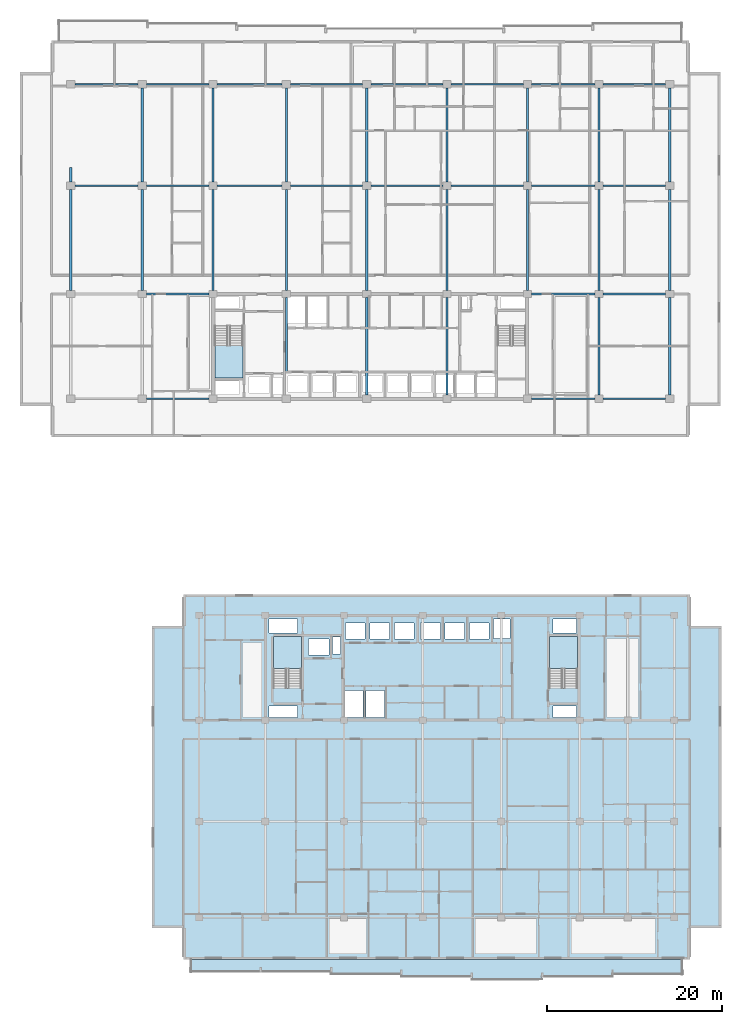
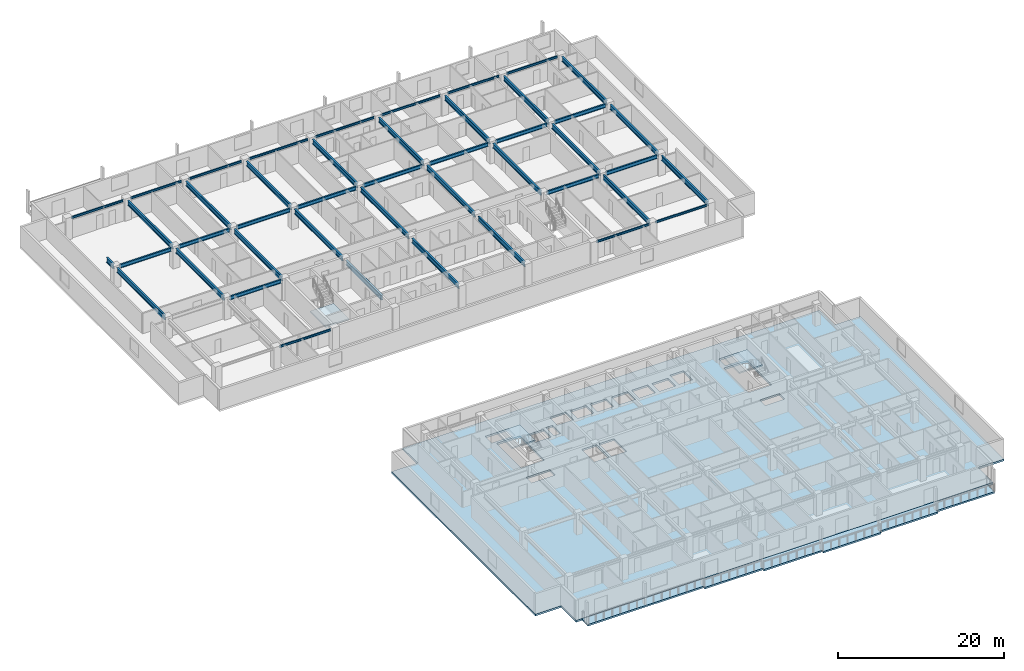
# One storey, part 2 of 22: 45 beams, 5 slabs, 3 elements without a shape of their own.
"""IFC4 building model written with IfcOpenShell, lengths in metres."""

from ifc_helpers import new_model, si_unit, direction, frame, origin, origin_2d, place, context, subcontext, project, spatial, polyline, i_section, outline, extrude, material, layer, layer_set, material_profile, profile_set, type_object, element, aggregate, save


model = new_model("IFC4")

# Units and contexts
model_context = context("Model", 3, precision=1e-05, world=origin(), true_north=direction((0.0, 1.0)))
body_context = subcontext(model_context, "Body", "Model", "MODEL_VIEW")
ifc_project = project(units=[si_unit("LENGTHUNIT", "METRE"), si_unit("AREAUNIT", "SQUARE_METRE"), si_unit("VOLUMEUNIT", "CUBIC_METRE"), si_unit("PLANEANGLEUNIT", "RADIAN"), si_unit("MASSUNIT", "GRAM", prefix="KILO")], contexts=[model_context])

# Site, building, storey
site_placement = place(None, origin())
site = spatial("IfcSite", under=ifc_project, at=site_placement, CompositionType="ELEMENT")
building_placement = place(site_placement, origin())
building = spatial("IfcBuilding", under=site, at=building_placement, Name="Korimba Cascade Residences", CompositionType="ELEMENT")
storey_placement = place(building_placement, frame((0.0, 0.0, 90.550048828125)))
storey = spatial("IfcBuildingStorey", under=building, at=storey_placement, Name="L25", CompositionType="ELEMENT", Elevation=90.550048828125)

# Beams
ifc_material_1 = material(Name="Steel S355", Category="steel")
ifc_material_profile_1 = material_profile(ifc_material_1, i_section(OverallWidth=0.165771484375, OverallDepth=0.306640625, WebThickness=0.006591796875, FlangeThickness=0.01171875, FilletRadius=0.0087890625, at=origin_2d()), Name="Steel S355")
ifc_profile_set_1 = profile_set([ifc_material_profile_1], Name="Steel S355")
beam_type_1 = type_object("IfcBeamType", Name="BM-STL-UB305", PredefinedType="SPANDREL", material=ifc_profile_set_1)
beam_1_placement = place(storey_placement, frame((68.47509765625, 55.199951171875, 2.816650390625), z_axis=(1.0, 0.0, 0.0), x_axis=(0.0, 1.0, 0.0)))
element("IfcBeam", 1, at=beam_1_placement, inside=storey, type_object=beam_type_1, Name="L25 T1 E-W Girder Y1 Bay 2", PredefinedType="SPANDREL", context=body_context, shape_type="SweptSolid", body=[
    extrude(i_section(OverallWidth=0.165771484375, OverallDepth=0.306640625, WebThickness=0.006591796875, FlangeThickness=0.01171875, FilletRadius=0.0087890625, at=origin_2d()), origin(), (0.0, 0.0, 1.0), 7.14990234375),
])
beam_2_placement = place(storey_placement, frame((112.574951171875, 55.199951171875, 2.816650390625), z_axis=(1.0, 0.0, 0.0), x_axis=(0.0, 1.0, 0.0)))
element("IfcBeam", 2, at=beam_2_placement, inside=storey, type_object=beam_type_1, Name="L25 T1 E-W Girder Y1 Bay 7", PredefinedType="SPANDREL", context=body_context, shape_type="SweptSolid", body=[
    extrude(i_section(OverallWidth=0.165771484375, OverallDepth=0.306640625, WebThickness=0.006591796875, FlangeThickness=0.01171875, FilletRadius=0.0087890625, at=origin_2d()), origin(), (0.0, 0.0, 1.0), 7.25),
])
beam_3_placement = place(storey_placement, frame((120.77490234375, 55.199951171875, 2.816650390625), z_axis=(1.0, 0.0, 0.0), x_axis=(0.0, 1.0, 0.0)))
element("IfcBeam", 3, at=beam_3_placement, inside=storey, type_object=beam_type_1, Name="L25 T1 E-W Girder Y1 Bay 8", PredefinedType="SPANDREL", context=body_context, shape_type="SweptSolid", body=[
    extrude(i_section(OverallWidth=0.165771484375, OverallDepth=0.306640625, WebThickness=0.006591796875, FlangeThickness=0.01171875, FilletRadius=0.0087890625, at=origin_2d()), origin(), (0.0, 0.0, 1.0), 7.150146484375),
])
beam_4_placement = place(storey_placement, frame((60.27490234375, 91.199951171875, 2.816650390625), z_axis=(1.0, 0.0, 0.0), x_axis=(0.0, 1.0, 0.0)))
element("IfcBeam", 4, at=beam_4_placement, inside=storey, type_object=beam_type_1, Name="L25 T1 E-W Girder Y4 Bay 1", PredefinedType="SPANDREL", context=body_context, shape_type="SweptSolid", body=[
    extrude(i_section(OverallWidth=0.165771484375, OverallDepth=0.306640625, WebThickness=0.006591796875, FlangeThickness=0.01171875, FilletRadius=0.0087890625, at=origin_2d()), origin(), (0.0, 0.0, 1.0), 7.25),
])
beam_5_placement = place(storey_placement, frame((68.47509765625, 91.199951171875, 2.816650390625), z_axis=(1.0, 0.0, 0.0), x_axis=(0.0, 1.0, 0.0)))
element("IfcBeam", 5, at=beam_5_placement, inside=storey, type_object=beam_type_1, Name="L25 T1 E-W Girder Y4 Bay 2", PredefinedType="SPANDREL", context=body_context, shape_type="SweptSolid", body=[
    extrude(i_section(OverallWidth=0.165771484375, OverallDepth=0.306640625, WebThickness=0.006591796875, FlangeThickness=0.01171875, FilletRadius=0.0087890625, at=origin_2d()), origin(), (0.0, 0.0, 1.0), 7.14990234375),
])
beam_6_placement = place(storey_placement, frame((76.574951171875, 91.199951171875, 2.816650390625), z_axis=(1.0, 0.0, 0.0), x_axis=(0.0, 1.0, 0.0)))
element("IfcBeam", 6, at=beam_6_placement, inside=storey, type_object=beam_type_1, Name="L25 T1 E-W Girder Y4 Bay 3", PredefinedType="SPANDREL", context=body_context, shape_type="SweptSolid", body=[
    extrude(i_section(OverallWidth=0.165771484375, OverallDepth=0.306640625, WebThickness=0.006591796875, FlangeThickness=0.01171875, FilletRadius=0.0087890625, at=origin_2d()), origin(), (0.0, 0.0, 1.0), 7.449951171875),
])
for number, where, z_axis, x_axis, name in (
    (7, (84.97509765625, 91.199951171875, 2.816650390625), (1.0, 0.0, 0.0), (0.0, 1.0, 0.0), "L25 T1 E-W Girder Y4 Bay 4"),
    (8, (94.175048828125, 91.199951171875, 2.816650390625), (1.0, 0.0, 0.0), (0.0, 1.0, 0.0), "L25 T1 E-W Girder Y4 Bay 5"),
    (9, (103.375, 91.199951171875, 2.816650390625), (1.0, 0.0, 0.0), (0.0, 1.0, 0.0), "L25 T1 E-W Girder Y4 Bay 6"),
):
    element("IfcBeam", number, at=place(storey_placement, frame(where, z_axis=z_axis, x_axis=x_axis)), inside=storey, type_object=beam_type_1, Name=name, PredefinedType="SPANDREL", context=body_context, shape_type="SweptSolid", body=[
        extrude(i_section(OverallWidth=0.165771484375, OverallDepth=0.306640625, WebThickness=0.006591796875, FlangeThickness=0.01171875, FilletRadius=0.0087890625, at=origin_2d()), origin(), (0.0, 0.0, 1.0), 8.25),
    ])
beam_7_placement = place(storey_placement, frame((112.574951171875, 91.199951171875, 2.816650390625), z_axis=(1.0, 0.0, 0.0), x_axis=(0.0, 1.0, 0.0)))
element("IfcBeam", 10, at=beam_7_placement, inside=storey, type_object=beam_type_1, Name="L25 T1 E-W Girder Y4 Bay 7", PredefinedType="SPANDREL", context=body_context, shape_type="SweptSolid", body=[
    extrude(i_section(OverallWidth=0.165771484375, OverallDepth=0.306640625, WebThickness=0.006591796875, FlangeThickness=0.01171875, FilletRadius=0.0087890625, at=origin_2d()), origin(), (0.0, 0.0, 1.0), 7.25),
])
beam_8_placement = place(storey_placement, frame((120.77490234375, 91.199951171875, 2.816650390625), z_axis=(1.0, 0.0, 0.0), x_axis=(0.0, 1.0, 0.0)))
element("IfcBeam", 11, at=beam_8_placement, inside=storey, type_object=beam_type_1, Name="L25 T1 E-W Girder Y4 Bay 8", PredefinedType="SPANDREL", context=body_context, shape_type="SweptSolid", body=[
    extrude(i_section(OverallWidth=0.165771484375, OverallDepth=0.306640625, WebThickness=0.006591796875, FlangeThickness=0.01171875, FilletRadius=0.0087890625, at=origin_2d()), origin(), (0.0, 0.0, 1.0), 7.150146484375),
])
ifc_material_profile_2 = material_profile(ifc_material_1, i_section(OverallWidth=0.2099609375, OverallDepth=0.53662109375, WebThickness=0.0107421875, FlangeThickness=0.017333984375, FilletRadius=0.0126953125, at=origin_2d()), Name="Steel S355")
ifc_profile_set_2 = profile_set([ifc_material_profile_2], Name="Steel S355")
beam_type_2 = type_object("IfcBeamType", Name="BM-STL-UB533", PredefinedType="BEAM", material=ifc_profile_set_2)
beam_9_placement = place(storey_placement, frame((68.47509765625, 67.199951171875, 2.70166015625), z_axis=(1.0, 0.0, 0.0), x_axis=(0.0, 1.0, 0.0)))
element("IfcBeam", 12, at=beam_9_placement, inside=storey, type_object=beam_type_2, Name="L25 T1 E-W Girder Y2 Bay 2", PredefinedType="BEAM", context=body_context, shape_type="SweptSolid", body=[
    extrude(i_section(OverallWidth=0.2099609375, OverallDepth=0.53662109375, WebThickness=0.0107421875, FlangeThickness=0.017333984375, FilletRadius=0.0126953125, at=origin_2d()), origin(), (0.0, 0.0, 1.0), 7.14990234375),
])
beam_10_placement = place(storey_placement, frame((112.574951171875, 67.199951171875, 2.70166015625), z_axis=(1.0, 0.0, 0.0), x_axis=(0.0, 1.0, 0.0)))
element("IfcBeam", 13, at=beam_10_placement, inside=storey, type_object=beam_type_2, Name="L25 T1 E-W Girder Y2 Bay 7", PredefinedType="BEAM", context=body_context, shape_type="SweptSolid", body=[
    extrude(i_section(OverallWidth=0.2099609375, OverallDepth=0.53662109375, WebThickness=0.0107421875, FlangeThickness=0.017333984375, FilletRadius=0.0126953125, at=origin_2d()), origin(), (0.0, 0.0, 1.0), 7.25),
])
beam_11_placement = place(storey_placement, frame((120.77490234375, 67.199951171875, 2.70166015625), z_axis=(1.0, 0.0, 0.0), x_axis=(0.0, 1.0, 0.0)))
element("IfcBeam", 14, at=beam_11_placement, inside=storey, type_object=beam_type_2, Name="L25 T1 E-W Girder Y2 Bay 8", PredefinedType="BEAM", context=body_context, shape_type="SweptSolid", body=[
    extrude(i_section(OverallWidth=0.2099609375, OverallDepth=0.53662109375, WebThickness=0.0107421875, FlangeThickness=0.017333984375, FilletRadius=0.0126953125, at=origin_2d()), origin(), (0.0, 0.0, 1.0), 7.150146484375),
])
beam_12_placement = place(storey_placement, frame((60.27490234375, 79.60009765625, 2.70166015625), z_axis=(1.0, 0.0, 0.0), x_axis=(0.0, 1.0, 0.0)))
element("IfcBeam", 15, at=beam_12_placement, inside=storey, type_object=beam_type_2, Name="L25 T1 E-W Girder Y3 Bay 1", PredefinedType="BEAM", context=body_context, shape_type="SweptSolid", body=[
    extrude(i_section(OverallWidth=0.2099609375, OverallDepth=0.53662109375, WebThickness=0.0107421875, FlangeThickness=0.017333984375, FilletRadius=0.0126953125, at=origin_2d()), origin(), (0.0, 0.0, 1.0), 7.25),
])
beam_13_placement = place(storey_placement, frame((68.47509765625, 79.60009765625, 2.70166015625), z_axis=(1.0, 0.0, 0.0), x_axis=(0.0, 1.0, 0.0)))
element("IfcBeam", 16, at=beam_13_placement, inside=storey, type_object=beam_type_2, Name="L25 T1 E-W Girder Y3 Bay 2", PredefinedType="BEAM", context=body_context, shape_type="SweptSolid", body=[
    extrude(i_section(OverallWidth=0.2099609375, OverallDepth=0.53662109375, WebThickness=0.0107421875, FlangeThickness=0.017333984375, FilletRadius=0.0126953125, at=origin_2d()), origin(), (0.0, 0.0, 1.0), 7.14990234375),
])
beam_14_placement = place(storey_placement, frame((76.574951171875, 79.60009765625, 2.70166015625), z_axis=(1.0, 0.0, 0.0), x_axis=(0.0, 1.0, 0.0)))
element("IfcBeam", 17, at=beam_14_placement, inside=storey, type_object=beam_type_2, Name="L25 T1 E-W Girder Y3 Bay 3", PredefinedType="BEAM", context=body_context, shape_type="SweptSolid", body=[
    extrude(i_section(OverallWidth=0.2099609375, OverallDepth=0.53662109375, WebThickness=0.0107421875, FlangeThickness=0.017333984375, FilletRadius=0.0126953125, at=origin_2d()), origin(), (0.0, 0.0, 1.0), 7.449951171875),
])
for number, where, z_axis, x_axis, name in (
    (18, (84.97509765625, 79.60009765625, 2.70166015625), (1.0, 0.0, 0.0), (0.0, 1.0, 0.0), "L25 T1 E-W Girder Y3 Bay 4"),
    (19, (94.175048828125, 79.60009765625, 2.70166015625), (1.0, 0.0, 0.0), (0.0, 1.0, 0.0), "L25 T1 E-W Girder Y3 Bay 5"),
    (20, (103.375, 79.60009765625, 2.70166015625), (1.0, 0.0, 0.0), (0.0, 1.0, 0.0), "L25 T1 E-W Girder Y3 Bay 6"),
):
    element("IfcBeam", number, at=place(storey_placement, frame(where, z_axis=z_axis, x_axis=x_axis)), inside=storey, type_object=beam_type_2, Name=name, PredefinedType="BEAM", context=body_context, shape_type="SweptSolid", body=[
        extrude(i_section(OverallWidth=0.2099609375, OverallDepth=0.53662109375, WebThickness=0.0107421875, FlangeThickness=0.017333984375, FilletRadius=0.0126953125, at=origin_2d()), origin(), (0.0, 0.0, 1.0), 8.25),
    ])
beam_15_placement = place(storey_placement, frame((112.574951171875, 79.60009765625, 2.70166015625), z_axis=(1.0, 0.0, 0.0), x_axis=(0.0, 1.0, 0.0)))
element("IfcBeam", 21, at=beam_15_placement, inside=storey, type_object=beam_type_2, Name="L25 T1 E-W Girder Y3 Bay 7", PredefinedType="BEAM", context=body_context, shape_type="SweptSolid", body=[
    extrude(i_section(OverallWidth=0.2099609375, OverallDepth=0.53662109375, WebThickness=0.0107421875, FlangeThickness=0.017333984375, FilletRadius=0.0126953125, at=origin_2d()), origin(), (0.0, 0.0, 1.0), 7.25),
])
beam_16_placement = place(storey_placement, frame((120.77490234375, 79.60009765625, 2.70166015625), z_axis=(1.0, 0.0, 0.0), x_axis=(0.0, 1.0, 0.0)))
element("IfcBeam", 22, at=beam_16_placement, inside=storey, type_object=beam_type_2, Name="L25 T1 E-W Girder Y3 Bay 8", PredefinedType="BEAM", context=body_context, shape_type="SweptSolid", body=[
    extrude(i_section(OverallWidth=0.2099609375, OverallDepth=0.53662109375, WebThickness=0.0107421875, FlangeThickness=0.017333984375, FilletRadius=0.0126953125, at=origin_2d()), origin(), (0.0, 0.0, 1.0), 7.150146484375),
])
ifc_material_profile_3 = material_profile(ifc_material_1, i_section(OverallWidth=0.255859375, OverallDepth=0.69287109375, WebThickness=0.014404296875, FlangeThickness=0.023681640625, FilletRadius=0.01513671875, at=origin_2d()), Name="Steel S355")
ifc_profile_set_3 = profile_set([ifc_material_profile_3], Name="Steel S355")
beam_type_3 = type_object("IfcBeamType", Name="BM-STL-UB686", PredefinedType="BEAM", material=ifc_profile_set_3)
beam_17_placement = place(storey_placement, frame((59.800048828125, 67.625, 2.62353515625), z_axis=(0.0, 1.0, 0.0), x_axis=(-1.0, 0.0, 0.0)))
element("IfcBeam", 23, at=beam_17_placement, inside=storey, type_object=beam_type_3, Name="L25 T1 N-S Girder X1 Seg 2", PredefinedType="BEAM", context=body_context, shape_type="SweptSolid", body=[
    extrude(i_section(OverallWidth=0.255859375, OverallDepth=0.69287109375, WebThickness=0.014404296875, FlangeThickness=0.023681640625, FilletRadius=0.01513671875, at=origin_2d()), origin(), (0.0, 0.0, 1.0), 11.550048828125),
])
beam_18_placement = place(storey_placement, frame((59.800048828125, 80.02490234375, 2.62353515625), z_axis=(0.0, 1.0, 0.0), x_axis=(-1.0, 0.0, 0.0)))
element("IfcBeam", 24, at=beam_18_placement, inside=storey, type_object=beam_type_3, Name="L25 T1 N-S Girder X1 Seg 3", PredefinedType="BEAM", context=body_context, shape_type="SweptSolid", body=[
    extrude(i_section(OverallWidth=0.255859375, OverallDepth=0.69287109375, WebThickness=0.014404296875, FlangeThickness=0.023681640625, FilletRadius=0.01513671875, at=origin_2d()), origin(), (0.0, 0.0, 1.0), 1.675048828125),
])
beam_19_placement = place(storey_placement, frame((68.0, 67.625, 2.62353515625), z_axis=(0.0, 1.0, 0.0), x_axis=(-1.0, 0.0, 0.0)))
element("IfcBeam", 25, at=beam_19_placement, inside=storey, type_object=beam_type_3, Name="L25 T1 N-S Girder X2 Seg 2", PredefinedType="BEAM", context=body_context, shape_type="SweptSolid", body=[
    extrude(i_section(OverallWidth=0.255859375, OverallDepth=0.69287109375, WebThickness=0.014404296875, FlangeThickness=0.023681640625, FilletRadius=0.01513671875, at=origin_2d()), origin(), (0.0, 0.0, 1.0), 11.550048828125),
])
beam_20_placement = place(storey_placement, frame((68.0, 80.02490234375, 2.62353515625), z_axis=(0.0, 1.0, 0.0), x_axis=(-1.0, 0.0, 0.0)))
element("IfcBeam", 26, at=beam_20_placement, inside=storey, type_object=beam_type_3, Name="L25 T1 N-S Girder X2 Seg 3", PredefinedType="BEAM", context=body_context, shape_type="SweptSolid", body=[
    extrude(i_section(OverallWidth=0.255859375, OverallDepth=0.69287109375, WebThickness=0.014404296875, FlangeThickness=0.023681640625, FilletRadius=0.01513671875, at=origin_2d()), origin(), (0.0, 0.0, 1.0), 10.75),
])
beam_21_placement = place(storey_placement, frame((76.10009765625, 67.625, 2.62353515625), z_axis=(0.0, 1.0, 0.0), x_axis=(-1.0, 0.0, 0.0)))
element("IfcBeam", 27, at=beam_21_placement, inside=storey, type_object=beam_type_3, Name="L25 T1 N-S Girder X3 Seg 2", PredefinedType="BEAM", context=body_context, shape_type="SweptSolid", body=[
    extrude(i_section(OverallWidth=0.255859375, OverallDepth=0.69287109375, WebThickness=0.014404296875, FlangeThickness=0.023681640625, FilletRadius=0.01513671875, at=origin_2d()), origin(), (0.0, 0.0, 1.0), 11.550048828125),
])
beam_22_placement = place(storey_placement, frame((76.10009765625, 80.02490234375, 2.62353515625), z_axis=(0.0, 1.0, 0.0), x_axis=(-1.0, 0.0, 0.0)))
element("IfcBeam", 28, at=beam_22_placement, inside=storey, type_object=beam_type_3, Name="L25 T1 N-S Girder X3 Seg 3", PredefinedType="BEAM", context=body_context, shape_type="SweptSolid", body=[
    extrude(i_section(OverallWidth=0.255859375, OverallDepth=0.69287109375, WebThickness=0.014404296875, FlangeThickness=0.023681640625, FilletRadius=0.01513671875, at=origin_2d()), origin(), (0.0, 0.0, 1.0), 10.75),
])
beam_23_placement = place(storey_placement, frame((84.5, 58.159912109375, 2.62353515625), z_axis=(0.0, 1.0, 0.0), x_axis=(-1.0, 0.0, 0.0)))
element("IfcBeam", 29, at=beam_23_placement, inside=storey, type_object=beam_type_3, Name="L25 T1 N-S Girder X4 Seg 1", PredefinedType="BEAM", context=body_context, shape_type="SweptSolid", body=[
    extrude(i_section(OverallWidth=0.255859375, OverallDepth=0.69287109375, WebThickness=0.014404296875, FlangeThickness=0.023681640625, FilletRadius=0.01513671875, at=origin_2d()), origin(), (0.0, 0.0, 1.0), 8.614990234375),
])
beam_24_placement = place(storey_placement, frame((84.5, 67.625, 2.62353515625), z_axis=(0.0, 1.0, 0.0), x_axis=(-1.0, 0.0, 0.0)))
element("IfcBeam", 30, at=beam_24_placement, inside=storey, type_object=beam_type_3, Name="L25 T1 N-S Girder X4 Seg 2", PredefinedType="BEAM", context=body_context, shape_type="SweptSolid", body=[
    extrude(i_section(OverallWidth=0.255859375, OverallDepth=0.69287109375, WebThickness=0.014404296875, FlangeThickness=0.023681640625, FilletRadius=0.01513671875, at=origin_2d()), origin(), (0.0, 0.0, 1.0), 11.550048828125),
])
beam_25_placement = place(storey_placement, frame((84.5, 80.02490234375, 2.62353515625), z_axis=(0.0, 1.0, 0.0), x_axis=(-1.0, 0.0, 0.0)))
element("IfcBeam", 31, at=beam_25_placement, inside=storey, type_object=beam_type_3, Name="L25 T1 N-S Girder X4 Seg 3", PredefinedType="BEAM", context=body_context, shape_type="SweptSolid", body=[
    extrude(i_section(OverallWidth=0.255859375, OverallDepth=0.69287109375, WebThickness=0.014404296875, FlangeThickness=0.023681640625, FilletRadius=0.01513671875, at=origin_2d()), origin(), (0.0, 0.0, 1.0), 10.75),
])
beam_26_placement = place(storey_placement, frame((93.699951171875, 55.625, 2.62353515625), z_axis=(0.0, 1.0, 0.0), x_axis=(-1.0, 0.0, 0.0)))
element("IfcBeam", 32, at=beam_26_placement, inside=storey, type_object=beam_type_3, Name="L25 T1 N-S Girder X5 Seg 1", PredefinedType="BEAM", context=body_context, shape_type="SweptSolid", body=[
    extrude(i_section(OverallWidth=0.255859375, OverallDepth=0.69287109375, WebThickness=0.014404296875, FlangeThickness=0.023681640625, FilletRadius=0.01513671875, at=origin_2d()), origin(), (0.0, 0.0, 1.0), 11.14990234375),
])
beam_27_placement = place(storey_placement, frame((93.699951171875, 67.625, 2.62353515625), z_axis=(0.0, 1.0, 0.0), x_axis=(-1.0, 0.0, 0.0)))
element("IfcBeam", 33, at=beam_27_placement, inside=storey, type_object=beam_type_3, Name="L25 T1 N-S Girder X5 Seg 2", PredefinedType="BEAM", context=body_context, shape_type="SweptSolid", body=[
    extrude(i_section(OverallWidth=0.255859375, OverallDepth=0.69287109375, WebThickness=0.014404296875, FlangeThickness=0.023681640625, FilletRadius=0.01513671875, at=origin_2d()), origin(), (0.0, 0.0, 1.0), 11.550048828125),
])
beam_28_placement = place(storey_placement, frame((93.699951171875, 80.02490234375, 2.62353515625), z_axis=(0.0, 1.0, 0.0), x_axis=(-1.0, 0.0, 0.0)))
element("IfcBeam", 34, at=beam_28_placement, inside=storey, type_object=beam_type_3, Name="L25 T1 N-S Girder X5 Seg 3", PredefinedType="BEAM", context=body_context, shape_type="SweptSolid", body=[
    extrude(i_section(OverallWidth=0.255859375, OverallDepth=0.69287109375, WebThickness=0.014404296875, FlangeThickness=0.023681640625, FilletRadius=0.01513671875, at=origin_2d()), origin(), (0.0, 0.0, 1.0), 10.75),
])
beam_29_placement = place(storey_placement, frame((102.89990234375, 55.625, 2.62353515625), z_axis=(0.0, 1.0, 0.0), x_axis=(-1.0, 0.0, 0.0)))
element("IfcBeam", 35, at=beam_29_placement, inside=storey, type_object=beam_type_3, Name="L25 T1 N-S Girder X6 Seg 1", PredefinedType="BEAM", context=body_context, shape_type="SweptSolid", body=[
    extrude(i_section(OverallWidth=0.255859375, OverallDepth=0.69287109375, WebThickness=0.014404296875, FlangeThickness=0.023681640625, FilletRadius=0.01513671875, at=origin_2d()), origin(), (0.0, 0.0, 1.0), 11.14990234375),
])
beam_30_placement = place(storey_placement, frame((102.89990234375, 67.625, 2.62353515625), z_axis=(0.0, 1.0, 0.0), x_axis=(-1.0, 0.0, 0.0)))
element("IfcBeam", 36, at=beam_30_placement, inside=storey, type_object=beam_type_3, Name="L25 T1 N-S Girder X6 Seg 2", PredefinedType="BEAM", context=body_context, shape_type="SweptSolid", body=[
    extrude(i_section(OverallWidth=0.255859375, OverallDepth=0.69287109375, WebThickness=0.014404296875, FlangeThickness=0.023681640625, FilletRadius=0.01513671875, at=origin_2d()), origin(), (0.0, 0.0, 1.0), 11.550048828125),
])
beam_31_placement = place(storey_placement, frame((102.89990234375, 80.02490234375, 2.62353515625), z_axis=(0.0, 1.0, 0.0), x_axis=(-1.0, 0.0, 0.0)))
element("IfcBeam", 37, at=beam_31_placement, inside=storey, type_object=beam_type_3, Name="L25 T1 N-S Girder X6 Seg 3", PredefinedType="BEAM", context=body_context, shape_type="SweptSolid", body=[
    extrude(i_section(OverallWidth=0.255859375, OverallDepth=0.69287109375, WebThickness=0.014404296875, FlangeThickness=0.023681640625, FilletRadius=0.01513671875, at=origin_2d()), origin(), (0.0, 0.0, 1.0), 10.75),
])
beam_32_placement = place(storey_placement, frame((112.10009765625, 67.625, 2.62353515625), z_axis=(0.0, 1.0, 0.0), x_axis=(-1.0, 0.0, 0.0)))
element("IfcBeam", 38, at=beam_32_placement, inside=storey, type_object=beam_type_3, Name="L25 T1 N-S Girder X7 Seg 2", PredefinedType="BEAM", context=body_context, shape_type="SweptSolid", body=[
    extrude(i_section(OverallWidth=0.255859375, OverallDepth=0.69287109375, WebThickness=0.014404296875, FlangeThickness=0.023681640625, FilletRadius=0.01513671875, at=origin_2d()), origin(), (0.0, 0.0, 1.0), 11.550048828125),
])
beam_33_placement = place(storey_placement, frame((112.10009765625, 80.02490234375, 2.62353515625), z_axis=(0.0, 1.0, 0.0), x_axis=(-1.0, 0.0, 0.0)))
element("IfcBeam", 39, at=beam_33_placement, inside=storey, type_object=beam_type_3, Name="L25 T1 N-S Girder X7 Seg 3", PredefinedType="BEAM", context=body_context, shape_type="SweptSolid", body=[
    extrude(i_section(OverallWidth=0.255859375, OverallDepth=0.69287109375, WebThickness=0.014404296875, FlangeThickness=0.023681640625, FilletRadius=0.01513671875, at=origin_2d()), origin(), (0.0, 0.0, 1.0), 10.75),
])
beam_34_placement = place(storey_placement, frame((120.300048828125, 55.625, 2.62353515625), z_axis=(0.0, 1.0, 0.0), x_axis=(-1.0, 0.0, 0.0)))
element("IfcBeam", 40, at=beam_34_placement, inside=storey, type_object=beam_type_3, Name="L25 T1 N-S Girder X8 Seg 1", PredefinedType="BEAM", context=body_context, shape_type="SweptSolid", body=[
    extrude(i_section(OverallWidth=0.255859375, OverallDepth=0.69287109375, WebThickness=0.014404296875, FlangeThickness=0.023681640625, FilletRadius=0.01513671875, at=origin_2d()), origin(), (0.0, 0.0, 1.0), 11.14990234375),
])
beam_35_placement = place(storey_placement, frame((120.300048828125, 67.625, 2.62353515625), z_axis=(0.0, 1.0, 0.0), x_axis=(-1.0, 0.0, 0.0)))
element("IfcBeam", 41, at=beam_35_placement, inside=storey, type_object=beam_type_3, Name="L25 T1 N-S Girder X8 Seg 2", PredefinedType="BEAM", context=body_context, shape_type="SweptSolid", body=[
    extrude(i_section(OverallWidth=0.255859375, OverallDepth=0.69287109375, WebThickness=0.014404296875, FlangeThickness=0.023681640625, FilletRadius=0.01513671875, at=origin_2d()), origin(), (0.0, 0.0, 1.0), 11.550048828125),
])
beam_36_placement = place(storey_placement, frame((120.300048828125, 80.02490234375, 2.62353515625), z_axis=(0.0, 1.0, 0.0), x_axis=(-1.0, 0.0, 0.0)))
element("IfcBeam", 42, at=beam_36_placement, inside=storey, type_object=beam_type_3, Name="L25 T1 N-S Girder X8 Seg 3", PredefinedType="BEAM", context=body_context, shape_type="SweptSolid", body=[
    extrude(i_section(OverallWidth=0.255859375, OverallDepth=0.69287109375, WebThickness=0.014404296875, FlangeThickness=0.023681640625, FilletRadius=0.01513671875, at=origin_2d()), origin(), (0.0, 0.0, 1.0), 10.75),
])
beam_37_placement = place(storey_placement, frame((128.39990234375, 55.625, 2.62353515625), z_axis=(0.0, 1.0, 0.0), x_axis=(-1.0, 0.0, 0.0)))
element("IfcBeam", 43, at=beam_37_placement, inside=storey, type_object=beam_type_3, Name="L25 T1 N-S Girder X9 Seg 1", PredefinedType="BEAM", context=body_context, shape_type="SweptSolid", body=[
    extrude(i_section(OverallWidth=0.255859375, OverallDepth=0.69287109375, WebThickness=0.014404296875, FlangeThickness=0.023681640625, FilletRadius=0.01513671875, at=origin_2d()), origin(), (0.0, 0.0, 1.0), 11.14990234375),
])
beam_38_placement = place(storey_placement, frame((128.39990234375, 67.625, 2.62353515625), z_axis=(0.0, 1.0, 0.0), x_axis=(-1.0, 0.0, 0.0)))
element("IfcBeam", 44, at=beam_38_placement, inside=storey, type_object=beam_type_3, Name="L25 T1 N-S Girder X9 Seg 2", PredefinedType="BEAM", context=body_context, shape_type="SweptSolid", body=[
    extrude(i_section(OverallWidth=0.255859375, OverallDepth=0.69287109375, WebThickness=0.014404296875, FlangeThickness=0.023681640625, FilletRadius=0.01513671875, at=origin_2d()), origin(), (0.0, 0.0, 1.0), 11.550048828125),
])
beam_39_placement = place(storey_placement, frame((128.39990234375, 80.02490234375, 2.62353515625), z_axis=(0.0, 1.0, 0.0), x_axis=(-1.0, 0.0, 0.0)))
element("IfcBeam", 45, at=beam_39_placement, inside=storey, type_object=beam_type_3, Name="L25 T1 N-S Girder X9 Seg 3", PredefinedType="BEAM", context=body_context, shape_type="SweptSolid", body=[
    extrude(i_section(OverallWidth=0.255859375, OverallDepth=0.69287109375, WebThickness=0.014404296875, FlangeThickness=0.023681640625, FilletRadius=0.01513671875, at=origin_2d()), origin(), (0.0, 0.0, 1.0), 10.75),
])

# Stair, slab
ifc_material_2 = material(Name="Concrete C50/60", Category="concrete")
stair_type_1 = type_object("IfcStairType", Name="STR-W1-18R-1806", PredefinedType="HALF_TURN_STAIR", material=ifc_material_2)
stair_1_placement = place(storey_placement, origin())
stair_1 = element("IfcStair", 46, at=stair_1_placement, inside=storey, type_object=stair_type_1, Name="L25 Tower 1 West Fire Stair ST-W1", PredefinedType="HALF_TURN_STAIR")
ifc_layer_1 = layer(ifc_material_2, 0.199951171875)
ifc_layer_set_1 = layer_set([ifc_layer_1], Name="Concrete C50/60")
slab_type_1 = type_object("IfcSlabType", Name="SLB-LND-220", PredefinedType="LANDING", material=ifc_layer_set_1)
slab_1_placement = place(storey_placement, frame((0.0, 0.0, 1.425048828125)))
slab_1 = element("IfcSlab", 47, at=slab_1_placement, type_object=slab_type_1, Name="ST-W1 landing 1", PredefinedType="LANDING", context=body_context, shape_type="SweptSolid", body=[
    extrude(outline(polyline([(76.300048828125, 61.31005859375), (76.300048828125, 57.60009765625), (79.5400390625, 57.60009765625), (79.5400390625, 61.31005859375), (76.300048828125, 61.31005859375)])), origin(), (0.0, 0.0, 1.0), 0.199951171875),
])
aggregate(stair_1, [slab_1])

stair_type_2 = type_object("IfcStairType", Name="STR-E1-18R-1806", PredefinedType="HALF_TURN_STAIR", material=ifc_material_2)
stair_2_placement = place(storey_placement, origin())
stair_2 = element("IfcStair", 48, at=stair_2_placement, inside=storey, type_object=stair_type_2, Name="L25 Tower 2 West Fire Stair ST-E1", PredefinedType="HALF_TURN_STAIR")
slab_2_placement = place(storey_placement, frame((0.0, 0.0, 1.425048828125)))
slab_2 = element("IfcSlab", 49, at=slab_2_placement, type_object=slab_type_1, Name="ST-E1 landing 1", PredefinedType="LANDING", context=body_context, shape_type="SweptSolid", body=[
    extrude(outline(polyline([(86.239990234375, 24.2900390625), (86.239990234375, 28.0), (83.0, 28.0), (83.0, 24.2900390625), (86.239990234375, 24.2900390625)])), origin(), (0.0, 0.0, 1.0), 0.199951171875),
])
aggregate(stair_2, [slab_2])

stair_type_3 = type_object("IfcStairType", Name="STR-E2-18R-1806", PredefinedType="HALF_TURN_STAIR", material=ifc_material_2)
stair_3_placement = place(storey_placement, origin())
stair_3 = element("IfcStair", 50, at=stair_3_placement, inside=storey, type_object=stair_type_3, Name="L25 Tower 2 East Fire Stair ST-E2", PredefinedType="HALF_TURN_STAIR")
slab_3_placement = place(storey_placement, frame((0.0, 0.0, 1.425048828125)))
slab_3 = element("IfcSlab", 51, at=slab_3_placement, type_object=slab_type_1, Name="ST-E2 landing 1", PredefinedType="LANDING", context=body_context, shape_type="SweptSolid", body=[
    extrude(outline(polyline([(117.840087890625, 24.2900390625), (117.840087890625, 28.0), (114.60009765625, 28.0), (114.60009765625, 24.2900390625), (117.840087890625, 24.2900390625)])), origin(), (0.0, 0.0, 1.0), 0.199951171875),
])
aggregate(stair_3, [slab_3])

# Slabs
ifc_material_3 = material(Name="Precast concrete C40/50", Category="concrete")
ifc_layer_2 = layer(ifc_material_3, 0.239990234375)
ifc_layer_set_2 = layer_set([ifc_layer_2], Name="Precast concrete C40/50")
slab_type_2 = type_object("IfcSlabType", Name="SLB-LOG-240", PredefinedType="FLOOR", material=ifc_layer_set_2)
slab_4_placement = place(storey_placement, frame((0.0, 0.0, -0.239990234375)))
element("IfcSlab", 52, at=slab_4_placement, inside=storey, type_object=slab_type_2, Name="L25 Tower 2 South Loggia Slab", PredefinedType="FLOOR", context=body_context, shape_type="SweptSolid", body=[
    extrude(outline(polyline([(73.5, -10.449951171875), (89.6142578125, -10.449951171875), (89.6142578125, -10.75), (97.67138671875, -10.75), (97.67138671875, -11.050048828125), (105.728515625, -11.050048828125), (105.728515625, -11.35009765625), (113.78564453125, -11.35009765625), (113.78564453125, -11.050048828125), (121.843017578125, -11.050048828125), (121.843017578125, -10.75), (129.89990234375, -10.75), (129.89990234375, -9.0), (73.5, -9.0), (73.5, -10.449951171875)])), origin(), (0.0, 0.0, 1.0), 0.239990234375),
])
ifc_layer_3 = layer(ifc_material_2, 0.280029296875)
ifc_layer_set_3 = layer_set([ifc_layer_3], Name="Concrete C50/60")
slab_type_3 = type_object("IfcSlabType", Name="SLB-TYP-280", PredefinedType="FLOOR", material=ifc_layer_set_3)
slab_5_placement = place(storey_placement, frame((0.0, 0.0, -0.280029296875)))
element("IfcSlab", 53, at=slab_5_placement, inside=storey, type_object=slab_type_3, Name="L25 Tower 2 Floor Slab", PredefinedType="FLOOR", context=body_context, shape_type="SweptSolid", body=[
    extrude(outline(polyline([(72.699951171875, -9.0), (130.699951171875, -9.0), (130.699951171875, -5.39990234375), (134.300048828125, -5.39990234375), (134.300048828125, 29.199951171875), (130.699951171875, 29.199951171875), (130.699951171875, 32.800048828125), (72.699951171875, 32.800048828125), (72.699951171875, 29.199951171875), (69.10009765625, 29.199951171875), (69.10009765625, -5.39990234375), (72.699951171875, -5.39990234375), (72.699951171875, -9.0)]), holes=[polyline([(86.239990234375, 22.0849609375), (86.239990234375, 28.0), (83.0, 28.0), (83.0, 22.0849609375), (86.239990234375, 22.0849609375)]), polyline([(117.840087890625, 22.0849609375), (117.840087890625, 28.0), (114.60009765625, 28.0), (114.60009765625, 22.0849609375), (117.840087890625, 22.0849609375)]), polyline([(87.030029296875, 25.8798828125), (89.3701171875, 25.8798828125), (89.3701171875, 27.719970703125), (87.030029296875, 27.719970703125), (87.030029296875, 25.8798828125)]), polyline([(91.280029296875, 27.679931640625), (93.52001953125, 27.679931640625), (93.52001953125, 29.52001953125), (91.280029296875, 29.52001953125), (91.280029296875, 27.679931640625)]), polyline([(94.080078125, 27.679931640625), (96.320068359375, 27.679931640625), (96.320068359375, 29.52001953125), (94.080078125, 29.52001953125), (94.080078125, 27.679931640625)]), polyline([(96.8798828125, 27.679931640625), (99.1201171875, 27.679931640625), (99.1201171875, 29.52001953125), (96.8798828125, 29.52001953125), (96.8798828125, 27.679931640625)]), polyline([(99.8798828125, 27.679931640625), (102.1201171875, 27.679931640625), (102.1201171875, 29.52001953125), (99.8798828125, 29.52001953125), (99.8798828125, 27.679931640625)]), polyline([(102.679931640625, 27.679931640625), (104.919921875, 27.679931640625), (104.919921875, 29.52001953125), (102.679931640625, 29.52001953125), (102.679931640625, 27.679931640625)]), polyline([(105.47998046875, 27.679931640625), (107.719970703125, 27.679931640625), (107.719970703125, 29.52001953125), (105.47998046875, 29.52001953125), (105.47998046875, 27.679931640625)]), polyline([(89.780029296875, 25.97998046875), (90.719970703125, 25.97998046875), (90.719970703125, 27.919921875), (89.780029296875, 27.919921875), (89.780029296875, 25.97998046875)]), polyline([(82.530029296875, 18.72998046875), (85.800048828125, 18.72998046875), (85.800048828125, 20.0400390625), (82.530029296875, 20.0400390625), (82.530029296875, 18.72998046875)]), polyline([(82.530029296875, 28.360107421875), (85.800048828125, 28.360107421875), (85.800048828125, 29.969970703125), (82.530029296875, 29.969970703125), (82.530029296875, 28.360107421875)]), polyline([(108.22998046875, 27.780029296875), (110.1201171875, 27.780029296875), (110.1201171875, 29.969970703125), (108.22998046875, 29.969970703125), (108.22998046875, 27.780029296875)]), polyline([(91.22998046875, 18.72998046875), (93.27001953125, 18.72998046875), (93.27001953125, 21.780029296875), (91.22998046875, 21.780029296875), (91.22998046875, 18.72998046875)]), polyline([(93.6298828125, 18.72998046875), (95.719970703125, 18.72998046875), (95.719970703125, 21.780029296875), (93.6298828125, 21.780029296875), (93.6298828125, 18.72998046875)]), polyline([(115.02001953125, 18.72998046875), (117.739990234375, 18.72998046875), (117.739990234375, 20.0400390625), (115.02001953125, 20.0400390625), (115.02001953125, 18.72998046875)]), polyline([(115.02001953125, 28.360107421875), (117.739990234375, 28.360107421875), (117.739990234375, 29.969970703125), (115.02001953125, 29.969970703125), (115.02001953125, 28.360107421875)])]), origin(), (0.0, 0.0, 1.0), 0.280029296875),
])

save(model, "model.ifc")
